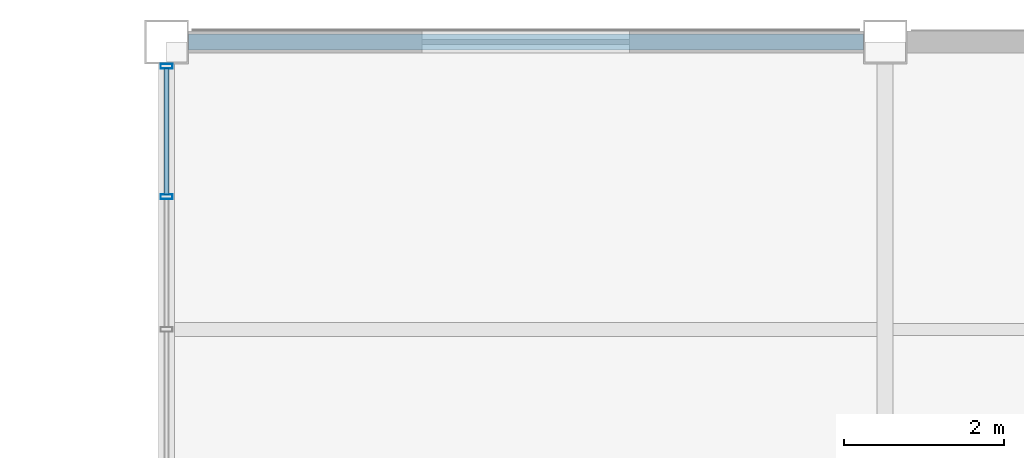
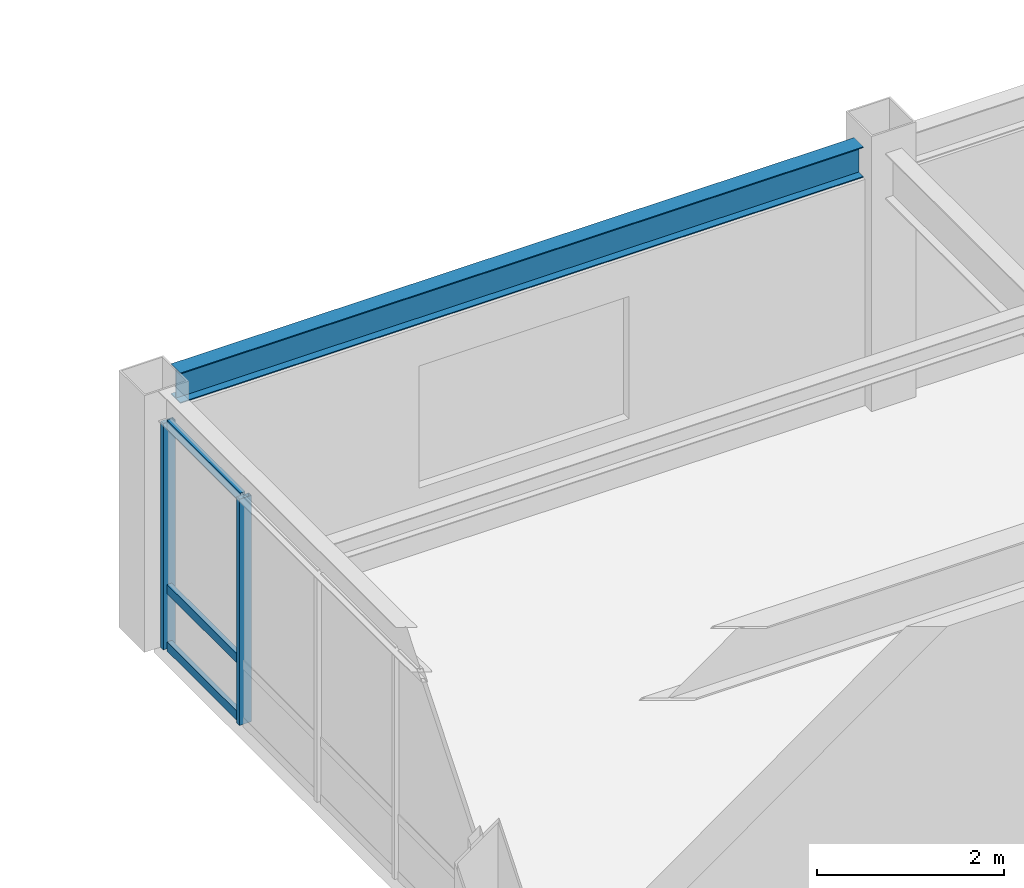
# One storey, part 26 of 43: 5 members, 1 beam, 1 element without a shape of its own.
"""IFC4 building model written with IfcOpenShell, lengths in metres."""

from ifc_helpers import new_model, si_unit, direction, frame, origin, origin_2d, place, context, subcontext, project, spatial, hollow_rectangle, i_section, extrude, material, material_profile, profile_set, type_object, element, aggregate, save


model = new_model("IFC4")

# Units and contexts
model_context = context("Model", 3, precision=1e-05, world=origin(), true_north=direction((0.0, 1.0)))
body_context = subcontext(model_context, "Body", "Model", "MODEL_VIEW")
ifc_project = project(units=[si_unit("LENGTHUNIT", "METRE"), si_unit("AREAUNIT", "SQUARE_METRE"), si_unit("VOLUMEUNIT", "CUBIC_METRE"), si_unit("PLANEANGLEUNIT", "RADIAN"), si_unit("MASSUNIT", "GRAM", prefix="KILO")], contexts=[model_context])

# Site, building, storey
site_placement = place(None, origin())
site = spatial("IfcSite", under=ifc_project, at=site_placement, CompositionType="ELEMENT")
building_placement = place(site_placement, origin())
building = spatial("IfcBuilding", under=site, at=building_placement, Name="Kazanami Central Library", CompositionType="ELEMENT")
storey_placement = place(building_placement, frame((0.0, 0.0, 20.60009765625)))
storey = spatial("IfcBuildingStorey", under=building, at=storey_placement, Name="L06", CompositionType="ELEMENT", Elevation=20.60009765625)

# Beam
ifc_material_1 = material(Name="Steel SN490B (325 MPa)", Category="steel")
ifc_material_profile_1 = material_profile(ifc_material_1, i_section(OverallWidth=0.199951171875, OverallDepth=0.39990234375, WebThickness=0.008056640625, FlangeThickness=0.012939453125, at=origin_2d()), Name="H-400x200x8x13")
ifc_profile_set_1 = profile_set([ifc_material_profile_1], Name="Steel SN490B (325 MPa)")
beam_type = type_object("IfcBeamType", Name="BM-SP-3", PredefinedType="SPANDREL", material=ifc_profile_set_1)
beam_placement = place(storey_placement, frame((117.27294921875, 93.60009765625, 3.159912109375), z_axis=(1.0, 0.0, 0.0), x_axis=(0.0, 1.0, 0.0)))
element("IfcBeam", 1, at=beam_placement, inside=storey, type_object=beam_type, Name="Girder SP-3 L06 O/14-15", PredefinedType="SPANDREL", context=body_context, shape_type="SweptSolid", body=[
    extrude(i_section(OverallWidth=0.199951171875, OverallDepth=0.39990234375, WebThickness=0.008056640625, FlangeThickness=0.012939453125, at=origin_2d()), origin(), (0.0, 0.0, 1.0), 8.4541015625),
])

# Curtain wall, members
ifc_material_2 = material(Name="Acid-Etched Low-E Laminated Glass", Category="glass")
curtain_wall_type = type_object("IfcCurtainWallType", Name="CW-6650x2960-M180", PredefinedType="USERDEFINED", material=ifc_material_2)
curtain_wall_placement = place(storey_placement, origin())
curtain_wall = element("IfcCurtainWall", 2, at=curtain_wall_placement, inside=storey, type_object=curtain_wall_type, Name="Covered Link Bridge Curtain Wall CW-59 L06 W-14-12", ObjectType="UNITISED CURTAIN WALL", PredefinedType="USERDEFINED")
ifc_material_3 = material(Name="Anodised Aluminium A6063-T5", Category="aluminium")
ifc_material_profile_2 = material_profile(ifc_material_3, hollow_rectangle(XDim=0.06005859375, YDim=0.14990234375, WallThickness=0.00390625, at=origin_2d()), Name="ALU-MULL-60x150x4")
ifc_profile_set_2 = profile_set([ifc_material_profile_2], Name="Anodised Aluminium A6063-T5")
member_type_1 = type_object("IfcMemberType", Name="MEM-CW-M3", PredefinedType="MULLION", material=ifc_profile_set_2)
member_1_placement = place(storey_placement, frame((117.0, 91.66259765625, 0.0), z_axis=(0.0, 0.0, 1.0), x_axis=(0.0, 1.0, 0.0)))
member_1 = element("IfcMember", 3, at=member_1_placement, type_object=member_type_1, Name="CW-59 mullion 4", PredefinedType="MULLION", context=body_context, shape_type="SweptSolid", body=[
    extrude(hollow_rectangle(XDim=0.06005859375, YDim=0.14990234375, WallThickness=0.00390625, at=origin_2d()), origin(), (0.0, 0.0, 1.0), 2.9599609375),
])
member_2_placement = place(storey_placement, frame((117.0, 93.294921875, 0.0), z_axis=(0.0, 0.0, 1.0), x_axis=(0.0, 1.0, 0.0)))
member_2 = element("IfcMember", 4, at=member_2_placement, type_object=member_type_1, Name="CW-59 mullion 5", PredefinedType="MULLION", context=body_context, shape_type="SweptSolid", body=[
    extrude(hollow_rectangle(XDim=0.06005859375, YDim=0.14990234375, WallThickness=0.00390625, at=origin_2d()), origin(), (0.0, 0.0, 1.0), 2.9599609375),
])
ifc_material_profile_3 = material_profile(ifc_material_3, hollow_rectangle(XDim=0.06005859375, YDim=0.1201171875, WallThickness=0.00341796875, at=origin_2d()), Name="ALU-TRAN-60x120x3.5")
ifc_profile_set_3 = profile_set([ifc_material_profile_3], Name="Anodised Aluminium A6063-T5")
member_type_2 = type_object("IfcMemberType", Name="MEM-CW-T3", PredefinedType="USERDEFINED", material=ifc_profile_set_3)
member_3_placement = place(storey_placement, frame((117.0, 91.6923828125, 0.02978515625), z_axis=(0.0, 1.0, 0.0), x_axis=(-1.0, 0.0, 0.0)))
member_3 = element("IfcMember", 5, at=member_3_placement, type_object=member_type_2, Name="CW-59 transom 4.1", ObjectType="TRANSOM", PredefinedType="USERDEFINED", context=body_context, shape_type="SweptSolid", body=[
    extrude(hollow_rectangle(XDim=0.06005859375, YDim=0.1201171875, WallThickness=0.00341796875, at=origin_2d()), origin(), (0.0, 0.0, 1.0), 1.572509765625),
])
member_4_placement = place(storey_placement, frame((117.0, 91.6923828125, 0.77978515625), z_axis=(0.0, 1.0, 0.0), x_axis=(-1.0, 0.0, 0.0)))
member_4 = element("IfcMember", 6, at=member_4_placement, type_object=member_type_2, Name="CW-59 transom 4.2", ObjectType="TRANSOM", PredefinedType="USERDEFINED", context=body_context, shape_type="SweptSolid", body=[
    extrude(hollow_rectangle(XDim=0.06005859375, YDim=0.1201171875, WallThickness=0.00341796875, at=origin_2d()), origin(), (0.0, 0.0, 1.0), 1.572509765625),
])
member_5_placement = place(storey_placement, frame((117.0, 91.6923828125, 2.929931640625), z_axis=(0.0, 1.0, 0.0), x_axis=(-1.0, 0.0, 0.0)))
member_5 = element("IfcMember", 7, at=member_5_placement, type_object=member_type_2, Name="CW-59 transom 4.3", ObjectType="TRANSOM", PredefinedType="USERDEFINED", context=body_context, shape_type="SweptSolid", body=[
    extrude(hollow_rectangle(XDim=0.06005859375, YDim=0.1201171875, WallThickness=0.00341796875, at=origin_2d()), origin(), (0.0, 0.0, 1.0), 1.572509765625),
])
aggregate(curtain_wall, [member_1, member_2, member_3, member_4, member_5])

save(model, "model.ifc")
